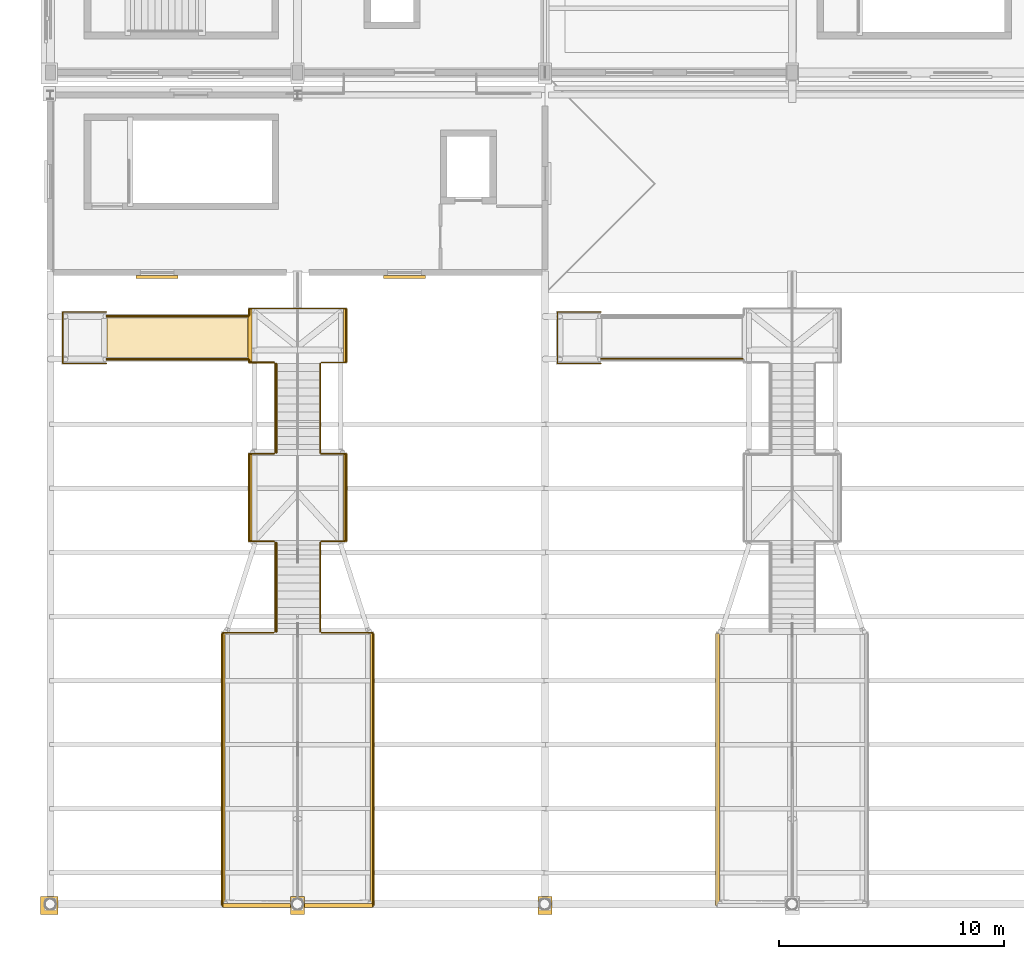
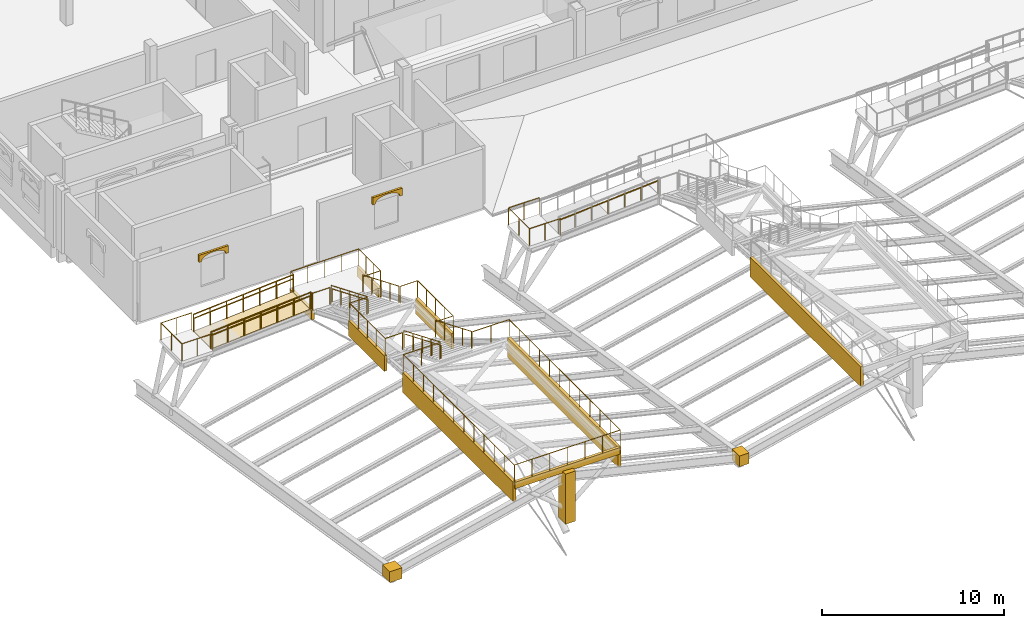
# One storey, part 32 of 43: 18 railings, 14 coverings.
"""IFC4 building model written with IfcOpenShell, lengths in metres."""

from ifc_helpers import new_model, si_unit, direction, frame, frame_2d, origin, origin_2d, place, context, subcontext, project, spatial, polyline, rectangle, circle, outline, extrude, material, layer, layer_set, type_object, element, save


model = new_model("IFC4")

# Units and contexts
model_context = context("Model", 3, precision=1e-05, world=origin(), true_north=direction((0.0, 1.0)))
body_context = subcontext(model_context, "Body", "Model", "MODEL_VIEW")
ifc_project = project(units=[si_unit("LENGTHUNIT", "METRE"), si_unit("AREAUNIT", "SQUARE_METRE"), si_unit("VOLUMEUNIT", "CUBIC_METRE"), si_unit("PLANEANGLEUNIT", "RADIAN"), si_unit("MASSUNIT", "GRAM", prefix="KILO")], contexts=[model_context])

# Site, building, storey
site_placement = place(None, origin())
site = spatial("IfcSite", under=ifc_project, at=site_placement, CompositionType="ELEMENT")
building_placement = place(site_placement, origin())
building = spatial("IfcBuilding", under=site, at=building_placement, Name="Caurita Quay Ferry Terminal", CompositionType="ELEMENT")
storey_placement = place(building_placement, frame((0.0, 0.0, 14.10009765625)))
storey = spatial("IfcBuildingStorey", under=building, at=storey_placement, Name="L03", CompositionType="ELEMENT", Elevation=14.10009765625)

# Coverings
ifc_material_1 = material(Name="Warm-white lime stucco masonry", Category="masonry")
ifc_layer_1 = layer(ifc_material_1, 0.360107421875, Name="Spanish Colonial semicircular lime-stucco portales arcade 360 mm")
ifc_layer_set_1 = layer_set([ifc_layer_1], Name="Warm-white lime stucco masonry")
covering_type_1 = type_object("IfcCoveringType", Name="COV-ARC-CLD", PredefinedType="CLADDING", material=ifc_layer_set_1)
for number, where, z_axis, x_axis, name in (
    (1, (7.679931640625, 46.64990234375, 2.349853515625), (0.0, 0.0, 1.0), (0.0, -1.0, 0.0), "Folded Roof Bay 1 Lookout Stucco Skirt 01"),
    (2, (14.320068359375, 34.550048828125, 2.349853515625), (0.0, 0.0, 1.0), (0.0, 1.0, 0.0), "Folded Roof Bay 1 Lookout Stucco Skirt 02"),
):
    element("IfcCovering", number, at=place(storey_placement, frame(where, z_axis=z_axis, x_axis=x_axis)), inside=storey, type_object=covering_type_1, Name=name, PredefinedType="CLADDING", context=body_context, shape_type="SweptSolid", body=[
        extrude(rectangle(XDim=12.099853515625, YDim=0.179931640625, at=frame_2d((6.0498046875, 0.0))), origin(), (0.0, 0.0, 1.0), 1.330078125),
    ])
covering_1_placement = place(storey_placement, frame((7.679931640625, 34.550048828125, 3.25), z_axis=(0.0, 0.0, 1.0), x_axis=(1.0, 0.0, 0.0)))
element("IfcCovering", 3, at=covering_1_placement, inside=storey, type_object=covering_type_1, Name="Folded Roof Bay 1 Lookout Stucco Skirt 03", PredefinedType="CLADDING", context=body_context, shape_type="SweptSolid", body=[
    extrude(rectangle(XDim=6.64013671875, YDim=0.179931640625, at=frame_2d((3.320068359375, 0.0))), origin(), (0.0, 0.0, 1.0), 0.429931640625),
])
for number, where, z_axis, x_axis, name in (
    (4, (8.8798828125, 54.64990234375, 0.849853515625), (0.0, 0.0, 1.0), (0.0, -1.0, 0.0), "Folded Roof Bay 1 Lookout Stucco Skirt 04"),
    (5, (13.1201171875, 50.72998046875, 0.849853515625), (0.0, 0.0, 1.0), (0.0, 1.0, 0.0), "Folded Roof Bay 1 Lookout Stucco Skirt 05"),
):
    element("IfcCovering", number, at=place(storey_placement, frame(where, z_axis=z_axis, x_axis=x_axis)), inside=storey, type_object=covering_type_1, Name=name, PredefinedType="CLADDING", context=body_context, shape_type="SweptSolid", body=[
        extrude(rectangle(XDim=3.919921875, YDim=0.179931640625, at=frame_2d((1.9599609375, 0.0))), origin(), (0.0, 0.0, 1.0), 1.030029296875),
    ])
for number, where, z_axis, x_axis, name in (
    (6, (8.8798828125, 61.10009765625, -0.550048828125), (0.0, 0.0, 1.0), (0.0, -1.0, 0.0), "Folded Roof Bay 1 Lookout Stucco Skirt 06"),
    (7, (13.1201171875, 58.699951171875, -0.550048828125), (0.0, 0.0, 1.0), (0.0, 1.0, 0.0), "Folded Roof Bay 1 Lookout Stucco Skirt 07"),
):
    element("IfcCovering", number, at=place(storey_placement, frame(where, z_axis=z_axis, x_axis=x_axis)), inside=storey, type_object=covering_type_1, Name=name, PredefinedType="CLADDING", context=body_context, shape_type="SweptSolid", body=[
        extrude(rectangle(XDim=2.400146484375, YDim=0.179931640625, at=frame_2d((1.2001953125, 0.0))), origin(), (0.0, 0.0, 1.0), 0.6298828125),
    ])
covering_2_placement = place(storey_placement, frame((29.679931640625, 46.64990234375, 2.349853515625), z_axis=(0.0, 0.0, 1.0), x_axis=(0.0, -1.0, 0.0)))
element("IfcCovering", 8, at=covering_2_placement, inside=storey, type_object=covering_type_1, Name="Folded Roof Bay 2 Lookout Stucco Skirt 01", PredefinedType="CLADDING", context=body_context, shape_type="SweptSolid", body=[
    extrude(rectangle(XDim=12.099853515625, YDim=0.179931640625, at=frame_2d((6.0498046875, 0.0))), origin(), (0.0, 0.0, 1.0), 1.330078125),
])
ifc_material_2 = material(Name="Polished marine terrazzo tile", Category="finish")
ifc_layer_2 = layer(ifc_material_2, 0.02490234375, Name="Polished marine terrazzo floor finish 25 mm")
ifc_layer_set_2 = layer_set([ifc_layer_2], Name="Polished marine terrazzo tile")
covering_type_2 = type_object("IfcCoveringType", Name="COV-FLR-025", PredefinedType="FLOORING", material=ifc_layer_set_2)
covering_3_placement = place(storey_placement, frame((2.530029296875, 58.840087890625, -0.35009765625), z_axis=(-0.071920937813, 0.0, 0.997410336173), x_axis=(0.997410336173, 0.0, 0.071920937813)))
element("IfcCovering", 9, at=covering_3_placement, inside=storey, type_object=covering_type_2, Name="Folded Roof Bay 1 Accessible Ramp Terrazzo Deck", PredefinedType="FLOORING", context=body_context, shape_type="SweptSolid", body=[
    extrude(outline(polyline([(0.0, 0.0), (6.256191667633518, 0.0), (6.256191667633518, 1.9199218750000004), (0.0, 1.9199218750000004), (0.0, 0.0)])), origin(), (0.0, 0.0, -1.0), 0.06005859375),
])
ifc_layer_3 = layer(ifc_material_1, 0.179931640625, Name="Classical engaged lime-stucco facade pilaster cladding 180 mm")
ifc_layer_set_3 = layer_set([ifc_layer_3], Name="Warm-white lime stucco masonry")
covering_type_3 = type_object("IfcCoveringType", Name="COV-PIL-CLD", PredefinedType="CLADDING", material=ifc_layer_set_3)
covering_4_placement = place(storey_placement, frame((-0.050048828125, 34.550048828125, 0.0), z_axis=(0.0, 0.0, 1.0), x_axis=(1.0, 0.0, 0.0)))
element("IfcCovering", 10, at=covering_4_placement, inside=storey, type_object=covering_type_3, Name="L03 Classical Engaged Pilaster 0004", PredefinedType="CLADDING", context=body_context, shape_type="SweptSolid", body=[
    extrude(rectangle(XDim=0.7880859375, YDim=0.7880859375, at=origin_2d()), origin(), (0.0, 0.0, 1.0), 0.719970703125),
])
covering_5_placement = place(storey_placement, frame((11.0, 34.550048828125, 0.0), z_axis=(0.0, 0.0, 1.0), x_axis=(1.0, 0.0, 0.0)))
element("IfcCovering", 11, at=covering_5_placement, inside=storey, type_object=covering_type_3, Name="L03 Classical Engaged Pilaster 0021", PredefinedType="CLADDING", context=body_context, shape_type="SweptSolid", body=[
    extrude(rectangle(XDim=0.6279296875, YDim=0.7880859375, at=origin_2d()), origin(), (0.0, 0.0, 1.0), 3.360107421875),
])
covering_6_placement = place(storey_placement, frame((22.0, 34.550048828125, 0.0), z_axis=(0.0, 0.0, 1.0), x_axis=(1.0, 0.0, 0.0)))
element("IfcCovering", 12, at=covering_6_placement, inside=storey, type_object=covering_type_3, Name="L03 Classical Engaged Pilaster 0029", PredefinedType="CLADDING", context=body_context, shape_type="SweptSolid", body=[
    extrude(rectangle(XDim=0.6279296875, YDim=0.7880859375, at=origin_2d()), origin(), (0.0, 0.0, 1.0), 0.719970703125),
])
ifc_material_3 = material(Name="Coral stone ashlar cladding", Category="masonry")
ifc_layer_4 = layer(ifc_material_3, 0.139892578125, Name="Spanish Colonial semicircular arched window surround 140 mm")
ifc_layer_set_4 = layer_set([ifc_layer_4], Name="Coral stone ashlar cladding")
covering_type_4 = type_object("IfcCoveringType", Name="COV-WHD-MLD", PredefinedType="MOLDING", material=ifc_layer_set_4)
for number, where, z_axis, x_axis, name in (
    (13, (3.820068359375, 62.5, 2.77978515625), (0.0, 0.0, 1.0), (1.0, 0.0, 0.0), "L03 Arched Window Surround 180"),
    (14, (14.820068359375, 62.5, 2.77978515625), (0.0, 0.0, 1.0), (1.0, 0.0, 0.0), "L03 Arched Window Surround 181"),
):
    element("IfcCovering", number, at=place(storey_placement, frame(where, z_axis=z_axis, x_axis=x_axis)), inside=storey, type_object=covering_type_4, Name=name, PredefinedType="MOLDING", context=body_context, shape_type="SweptSolid", body=[
        extrude(outline(polyline([(0.0, 0.0), (0.159912109375, 0.0), (0.159912109375, 0.0400390625), (0.19775390625, 0.1513671875), (0.30712890625, 0.251708984375), (0.477294921875, 0.331298828125), (0.69189453125, 0.38232421875), (0.929931640625, 0.39990234375), (1.16796875, 0.38232421875), (1.382568359375, 0.331298828125), (1.552734375, 0.251708984375), (1.662109375, 0.1513671875), (1.699951171875, 0.0400390625), (1.699951171875, 0.0), (1.85986328125, 0.0), (1.85986328125, 0.480224609375), (0.0, 0.480224609375), (0.0, 0.0)])), frame((0.0, 0.06982421875, 0.0), z_axis=(0.0, -1.0, 0.0), x_axis=(1.0, 0.0, 0.0)), (0.0, 0.0, 1.0), 0.139892578125),
    ])

# Railings
ifc_material_4 = material(Name="Bronze architectural metalwork", Category="metal")
railing_type_1 = type_object("IfcRailingType", Name="RL-HND-090", PredefinedType="HANDRAIL", material=ifc_material_4)
railing_1_placement = place(storey_placement, frame((10.06005859375, 58.64990234375, 0.25)))
element("IfcRailing", 15, at=railing_1_placement, inside=storey, type_object=railing_type_1, Name="Waterside Peak Lookout 1 Handrail 1", PredefinedType="HANDRAIL", context=body_context, shape_type="SweptSolid", body=[
    extrude(circle(Radius=0.02392578125, at=origin_2d()), frame((0.0, 0.0, 0.8759765625), z_axis=(0.0, -0.923083657872, 0.384599220709), x_axis=(1.0, 0.0, 0.0)), (0.0, 0.0, 1.0), 4.2900390625),
    extrude(circle(Radius=0.02099609375, at=origin_2d()), origin(), (0.0, 0.0, 1.0), 0.851806640625),
    extrude(circle(Radius=0.02099609375, at=origin_2d()), frame((0.0, -0.989990234375, 0.41259765625)), (0.0, 0.0, 1.0), 0.851806640625),
    extrude(circle(Radius=0.02099609375, at=origin_2d()), frame((0.0, -1.97998046875, 0.824951171875)), (0.0, 0.0, 1.0), 0.851806640625),
    extrude(circle(Radius=0.02099609375, at=origin_2d()), frame((0.0, -2.969970703125, 1.2373046875)), (0.0, 0.0, 1.0), 0.851806640625),
    extrude(circle(Radius=0.02099609375, at=origin_2d()), frame((0.0, -3.9599609375, 1.64990234375)), (0.0, 0.0, 1.0), 0.851806640625),
])
railing_2_placement = place(storey_placement, frame((10.06005859375, 50.68994140625, 2.0498046875)))
element("IfcRailing", 16, at=railing_2_placement, inside=storey, type_object=railing_type_1, Name="Waterside Peak Lookout 1 Handrail 2", PredefinedType="HANDRAIL", context=body_context, shape_type="SweptSolid", body=[
    extrude(circle(Radius=0.02392578125, at=origin_2d()), frame((0.0, 0.0, 0.8759765625), z_axis=(0.0, -0.923063452933, 0.384647711367), x_axis=(1.0, 0.0, 0.0)), (0.0, 0.0, 1.0), 4.2900390625),
    extrude(circle(Radius=0.02099609375, at=origin_2d()), origin(), (0.0, 0.0, 1.0), 0.851806640625),
    extrude(circle(Radius=0.02099609375, at=origin_2d()), frame((0.0, -0.989990234375, 0.41259765625)), (0.0, 0.0, 1.0), 0.851806640625),
    extrude(circle(Radius=0.02099609375, at=origin_2d()), frame((0.0, -1.97998046875, 0.8251953125)), (0.0, 0.0, 1.0), 0.851806640625),
    extrude(circle(Radius=0.02099609375, at=origin_2d()), frame((0.0, -2.969970703125, 1.237548828125)), (0.0, 0.0, 1.0), 0.851806640625),
    extrude(circle(Radius=0.02099609375, at=origin_2d()), frame((0.0, -3.9599609375, 1.650146484375)), (0.0, 0.0, 1.0), 0.851806640625),
])
for number, where, name in (
    (17, (2.5, 58.860107421875, -0.35009765625), "Folded Roof Bay 1 Accessible Lookout Ramp Handrail 1"),
    (18, (2.5, 60.739990234375, -0.35009765625), "Folded Roof Bay 1 Accessible Lookout Ramp Handrail 2"),
    (19, (24.5, 58.860107421875, -0.35009765625), "Folded Roof Bay 2 Accessible Lookout Ramp Handrail 1"),
):
    element("IfcRailing", number, at=place(storey_placement, frame(where)), inside=storey, type_object=railing_type_1, Name=name, PredefinedType="HANDRAIL", context=body_context, shape_type="SweptSolid", body=[
        extrude(circle(Radius=0.02392578125, at=origin_2d()), frame((0.0, 0.0, 0.8759765625), z_axis=(0.997459288432, 0.0, 0.07123880909), x_axis=(0.0, 1.0, 0.0)), (0.0, 0.0, 1.0), 6.316162109375),
        extrude(circle(Radius=0.02099609375, at=origin_2d()), origin(), (0.0, 0.0, 1.0), 0.851806640625),
        extrude(circle(Radius=0.02099609375, at=origin_2d()), frame((1.050048828125, 0.0, 0.074951171875)), (0.0, 0.0, 1.0), 0.851806640625),
        extrude(circle(Radius=0.02099609375, at=origin_2d()), frame((2.10009765625, 0.0, 0.14990234375)), (0.0, 0.0, 1.0), 0.851806640625),
        extrude(circle(Radius=0.02099609375, at=origin_2d()), frame((3.14990234375, 0.0, 0.22509765625)), (0.0, 0.0, 1.0), 0.851806640625),
        extrude(circle(Radius=0.02099609375, at=origin_2d()), frame((4.199951171875, 0.0, 0.300048828125)), (0.0, 0.0, 1.0), 0.851806640625),
        extrude(circle(Radius=0.02099609375, at=origin_2d()), frame((5.25, 0.0, 0.375)), (0.0, 0.0, 1.0), 0.851806640625),
        extrude(circle(Radius=0.02099609375, at=origin_2d()), frame((6.300048828125, 0.0, 0.449951171875)), (0.0, 0.0, 1.0), 0.851806640625),
    ])
railing_type_2 = type_object("IfcRailingType", Name="RL-REJA-115", PredefinedType="BALUSTRADE", material=ifc_material_4)
railing_3_placement = place(storey_placement, frame((9.949951171875, 58.699951171875, 0.099853515625)))
element("IfcRailing", 20, at=railing_3_placement, inside=storey, type_object=railing_type_2, Name="Waterside Peak Lookout 1 Guardrail 1", PredefinedType="BALUSTRADE", context=body_context, shape_type="SweptSolid", body=[
    extrude(circle(Radius=0.02392578125, at=origin_2d()), frame((0.0, 0.0, 1.1259765625), z_axis=(-1.0, 0.0, 0.0), x_axis=(0.0, -1.0, 0.0)), (0.0, 0.0, 1.0), 1.099853515625),
    extrude(circle(Radius=0.02392578125, at=origin_2d()), frame((-1.099853515625, 0.0, 1.1259765625), z_axis=(0.0, 1.0, 0.0), x_axis=(-1.0, 0.0, 0.0)), (0.0, 0.0, 1.0), 0.10009765625),
    extrude(circle(Radius=0.02099609375, at=origin_2d()), origin(), (0.0, 0.0, 1.0), 1.101806640625),
    extrude(circle(Radius=0.02099609375, at=origin_2d()), frame((-1.099853515625, 0.0, 0.0)), (0.0, 0.0, 1.0), 1.101806640625),
    extrude(circle(Radius=0.02099609375, at=origin_2d()), frame((-1.099853515625, 0.10009765625, 0.0)), (0.0, 0.0, 1.0), 1.101806640625),
])
railing_4_placement = place(storey_placement, frame((8.85009765625, 60.800048828125, 0.099853515625)))
element("IfcRailing", 21, at=railing_4_placement, inside=storey, type_object=railing_type_2, Name="Waterside Peak Lookout 1 Guardrail 2", PredefinedType="BALUSTRADE", context=body_context, shape_type="SweptSolid", body=[
    extrude(circle(Radius=0.02392578125, at=origin_2d()), frame((0.0, 0.0, 1.1259765625), z_axis=(0.0, 1.0, 0.0), x_axis=(-1.0, 0.0, 0.0)), (0.0, 0.0, 1.0), 0.300048828125),
    extrude(circle(Radius=0.02392578125, at=origin_2d()), frame((0.0, 0.300048828125, 1.1259765625), z_axis=(1.0, 0.0, 0.0), x_axis=(0.0, 1.0, 0.0)), (0.0, 0.0, 1.0), 4.2998046875),
    extrude(circle(Radius=0.02392578125, at=origin_2d()), frame((4.2998046875, 0.300048828125, 1.1259765625), z_axis=(0.0, -1.0, 0.0), x_axis=(1.0, 0.0, 0.0)), (0.0, 0.0, 1.0), 2.400146484375),
    extrude(circle(Radius=0.02392578125, at=origin_2d()), frame((4.2998046875, -2.10009765625, 1.1259765625), z_axis=(-1.0, 0.0, 0.0), x_axis=(0.0, -1.0, 0.0)), (0.0, 0.0, 1.0), 1.099853515625),
    extrude(circle(Radius=0.02099609375, at=origin_2d()), origin(), (0.0, 0.0, 1.0), 1.101806640625),
    extrude(circle(Radius=0.02099609375, at=origin_2d()), frame((0.0, 0.300048828125, 0.0)), (0.0, 0.0, 1.0), 1.101806640625),
    extrude(circle(Radius=0.02099609375, at=origin_2d()), frame((1.074951171875, 0.300048828125, 0.0)), (0.0, 0.0, 1.0), 1.101806640625),
    extrude(circle(Radius=0.02099609375, at=origin_2d()), frame((2.14990234375, 0.300048828125, 0.0)), (0.0, 0.0, 1.0), 1.101806640625),
    extrude(circle(Radius=0.02099609375, at=origin_2d()), frame((3.224853515625, 0.300048828125, 0.0)), (0.0, 0.0, 1.0), 1.101806640625),
    extrude(circle(Radius=0.02099609375, at=origin_2d()), frame((4.2998046875, 0.300048828125, 0.0)), (0.0, 0.0, 1.0), 1.101806640625),
    extrude(circle(Radius=0.02099609375, at=origin_2d()), frame((4.2998046875, -0.5, 0.0)), (0.0, 0.0, 1.0), 1.101806640625),
    extrude(circle(Radius=0.02099609375, at=origin_2d()), frame((4.2998046875, -1.300048828125, 0.0)), (0.0, 0.0, 1.0), 1.101806640625),
    extrude(circle(Radius=0.02099609375, at=origin_2d()), frame((4.2998046875, -2.10009765625, 0.0)), (0.0, 0.0, 1.0), 1.101806640625),
    extrude(circle(Radius=0.02099609375, at=origin_2d()), frame((3.199951171875, -2.10009765625, 0.0)), (0.0, 0.0, 1.0), 1.101806640625),
])
for number, where, name in (
    (22, (10.0, 58.64990234375, 0.25), "Waterside Peak Lookout 1 Guardrail 3"),
    (23, (12.0, 58.64990234375, 0.25), "Waterside Peak Lookout 1 Guardrail 4"),
):
    element("IfcRailing", number, at=place(storey_placement, frame(where)), inside=storey, type_object=railing_type_2, Name=name, PredefinedType="BALUSTRADE", context=body_context, shape_type="SweptSolid", body=[
        extrude(circle(Radius=0.02392578125, at=origin_2d()), frame((0.0, 0.0, 1.1259765625), z_axis=(0.0, -0.923083657872, 0.384599220709), x_axis=(1.0, 0.0, 0.0)), (0.0, 0.0, 1.0), 4.2900390625),
        extrude(circle(Radius=0.02099609375, at=origin_2d()), origin(), (0.0, 0.0, 1.0), 1.101806640625),
        extrude(circle(Radius=0.02099609375, at=origin_2d()), frame((0.0, -0.989990234375, 0.41259765625)), (0.0, 0.0, 1.0), 1.101806640625),
        extrude(circle(Radius=0.02099609375, at=origin_2d()), frame((0.0, -1.97998046875, 0.824951171875)), (0.0, 0.0, 1.0), 1.101806640625),
        extrude(circle(Radius=0.02099609375, at=origin_2d()), frame((0.0, -2.969970703125, 1.2373046875)), (0.0, 0.0, 1.0), 1.101806640625),
        extrude(circle(Radius=0.02099609375, at=origin_2d()), frame((0.0, -3.9599609375, 1.64990234375)), (0.0, 0.0, 1.0), 1.101806640625),
    ])
railing_5_placement = place(storey_placement, frame((9.949951171875, 54.639892578125, 1.89990234375)))
element("IfcRailing", 24, at=railing_5_placement, inside=storey, type_object=railing_type_2, Name="Waterside Peak Lookout 1 Guardrail 5", PredefinedType="BALUSTRADE", context=body_context, shape_type="SweptSolid", body=[
    extrude(circle(Radius=0.02392578125, at=origin_2d()), frame((0.0, 0.0, 1.1259765625), z_axis=(-1.0, 0.0, 0.0), x_axis=(0.0, -1.0, 0.0)), (0.0, 0.0, 1.0), 1.099853515625),
    extrude(circle(Radius=0.02392578125, at=origin_2d()), frame((-1.099853515625, 0.0, 1.1259765625), z_axis=(0.0, -1.0, 0.0), x_axis=(1.0, 0.0, 0.0)), (0.0, 0.0, 1.0), 3.89990234375),
    extrude(circle(Radius=0.02392578125, at=origin_2d()), frame((-1.099853515625, -3.89990234375, 1.1259765625), z_axis=(1.0, 0.0, 0.0), x_axis=(0.0, 1.0, 0.0)), (0.0, 0.0, 1.0), 1.099853515625),
    extrude(circle(Radius=0.02099609375, at=origin_2d()), origin(), (0.0, 0.0, 1.0), 1.101806640625),
    extrude(circle(Radius=0.02099609375, at=origin_2d()), frame((-1.099853515625, 0.0, 0.0)), (0.0, 0.0, 1.0), 1.101806640625),
    extrude(circle(Radius=0.02099609375, at=origin_2d()), frame((-1.099853515625, -0.97509765625, 0.0)), (0.0, 0.0, 1.0), 1.101806640625),
    extrude(circle(Radius=0.02099609375, at=origin_2d()), frame((-1.099853515625, -1.949951171875, 0.0)), (0.0, 0.0, 1.0), 1.101806640625),
    extrude(circle(Radius=0.02099609375, at=origin_2d()), frame((-1.099853515625, -2.9248046875, 0.0)), (0.0, 0.0, 1.0), 1.101806640625),
    extrude(circle(Radius=0.02099609375, at=origin_2d()), frame((-1.099853515625, -3.89990234375, 0.0)), (0.0, 0.0, 1.0), 1.101806640625),
    extrude(circle(Radius=0.02099609375, at=origin_2d()), frame((0.0, -3.89990234375, 0.0)), (0.0, 0.0, 1.0), 1.101806640625),
])
railing_6_placement = place(storey_placement, frame((12.050048828125, 54.639892578125, 1.89990234375)))
element("IfcRailing", 25, at=railing_6_placement, inside=storey, type_object=railing_type_2, Name="Waterside Peak Lookout 1 Guardrail 6", PredefinedType="BALUSTRADE", context=body_context, shape_type="SweptSolid", body=[
    extrude(circle(Radius=0.02392578125, at=origin_2d()), frame((0.0, 0.0, 1.1259765625), z_axis=(1.0, 0.0, 0.0), x_axis=(0.0, 1.0, 0.0)), (0.0, 0.0, 1.0), 1.099853515625),
    extrude(circle(Radius=0.02392578125, at=origin_2d()), frame((1.099853515625, 0.0, 1.1259765625), z_axis=(0.0, -1.0, 0.0), x_axis=(1.0, 0.0, 0.0)), (0.0, 0.0, 1.0), 3.89990234375),
    extrude(circle(Radius=0.02392578125, at=origin_2d()), frame((1.099853515625, -3.89990234375, 1.1259765625), z_axis=(-1.0, 0.0, 0.0), x_axis=(0.0, -1.0, 0.0)), (0.0, 0.0, 1.0), 1.099853515625),
    extrude(circle(Radius=0.02099609375, at=origin_2d()), origin(), (0.0, 0.0, 1.0), 1.101806640625),
    extrude(circle(Radius=0.02099609375, at=origin_2d()), frame((1.099853515625, 0.0, 0.0)), (0.0, 0.0, 1.0), 1.101806640625),
    extrude(circle(Radius=0.02099609375, at=origin_2d()), frame((1.099853515625, -0.97509765625, 0.0)), (0.0, 0.0, 1.0), 1.101806640625),
    extrude(circle(Radius=0.02099609375, at=origin_2d()), frame((1.099853515625, -1.949951171875, 0.0)), (0.0, 0.0, 1.0), 1.101806640625),
    extrude(circle(Radius=0.02099609375, at=origin_2d()), frame((1.099853515625, -2.9248046875, 0.0)), (0.0, 0.0, 1.0), 1.101806640625),
    extrude(circle(Radius=0.02099609375, at=origin_2d()), frame((1.099853515625, -3.89990234375, 0.0)), (0.0, 0.0, 1.0), 1.101806640625),
    extrude(circle(Radius=0.02099609375, at=origin_2d()), frame((0.0, -3.89990234375, 0.0)), (0.0, 0.0, 1.0), 1.101806640625),
])
for number, where, name in (
    (26, (10.0, 50.68994140625, 2.0498046875), "Waterside Peak Lookout 1 Guardrail 7"),
    (27, (12.0, 50.68994140625, 2.0498046875), "Waterside Peak Lookout 1 Guardrail 8"),
):
    element("IfcRailing", number, at=place(storey_placement, frame(where)), inside=storey, type_object=railing_type_2, Name=name, PredefinedType="BALUSTRADE", context=body_context, shape_type="SweptSolid", body=[
        extrude(circle(Radius=0.02392578125, at=origin_2d()), frame((0.0, 0.0, 1.1259765625), z_axis=(0.0, -0.923063452933, 0.384647711367), x_axis=(1.0, 0.0, 0.0)), (0.0, 0.0, 1.0), 4.2900390625),
        extrude(circle(Radius=0.02099609375, at=origin_2d()), origin(), (0.0, 0.0, 1.0), 1.101806640625),
        extrude(circle(Radius=0.02099609375, at=origin_2d()), frame((0.0, -0.989990234375, 0.41259765625)), (0.0, 0.0, 1.0), 1.101806640625),
        extrude(circle(Radius=0.02099609375, at=origin_2d()), frame((0.0, -1.97998046875, 0.8251953125)), (0.0, 0.0, 1.0), 1.101806640625),
        extrude(circle(Radius=0.02099609375, at=origin_2d()), frame((0.0, -2.969970703125, 1.237548828125)), (0.0, 0.0, 1.0), 1.101806640625),
        extrude(circle(Radius=0.02099609375, at=origin_2d()), frame((0.0, -3.9599609375, 1.650146484375)), (0.0, 0.0, 1.0), 1.101806640625),
    ])
railing_7_placement = place(storey_placement, frame((9.949951171875, 46.679931640625, 3.699951171875)))
element("IfcRailing", 28, at=railing_7_placement, inside=storey, type_object=railing_type_2, Name="Waterside Peak Lookout 1 Guardrail 9", PredefinedType="BALUSTRADE", context=body_context, shape_type="SweptSolid", body=[
    extrude(circle(Radius=0.02392578125, at=origin_2d()), frame((0.0, 0.0, 1.1259765625), z_axis=(-1.0, 0.0, 0.0), x_axis=(0.0, -1.0, 0.0)), (0.0, 0.0, 1.0), 2.300048828125),
    extrude(circle(Radius=0.02392578125, at=origin_2d()), frame((-2.300048828125, 0.0, 1.1259765625), z_axis=(0.0, -1.0, 0.0), x_axis=(1.0, 0.0, 0.0)), (0.0, 0.0, 1.0), 12.179931640625),
    extrude(circle(Radius=0.02392578125, at=origin_2d()), frame((-2.300048828125, -12.179931640625, 1.1259765625), z_axis=(1.0, 0.0, 0.0), x_axis=(0.0, 1.0, 0.0)), (0.0, 0.0, 1.0), 6.7001953125),
    extrude(circle(Radius=0.02392578125, at=origin_2d()), frame((4.400146484375, -12.179931640625, 1.1259765625), z_axis=(0.0, 1.0, 0.0), x_axis=(-1.0, 0.0, 0.0)), (0.0, 0.0, 1.0), 12.179931640625),
    extrude(circle(Radius=0.02392578125, at=origin_2d()), frame((4.400146484375, 0.0, 1.1259765625), z_axis=(-1.0, 0.0, 0.0), x_axis=(0.0, -1.0, 0.0)), (0.0, 0.0, 1.0), 2.300048828125),
    extrude(circle(Radius=0.02099609375, at=origin_2d()), origin(), (0.0, 0.0, 1.0), 1.101806640625),
    extrude(circle(Radius=0.02099609375, at=origin_2d()), frame((-1.14990234375, 0.0, 0.0)), (0.0, 0.0, 1.0), 1.101806640625),
    extrude(circle(Radius=0.02099609375, at=origin_2d()), frame((-2.300048828125, 0.0, 0.0)), (0.0, 0.0, 1.0), 1.101806640625),
    extrude(circle(Radius=0.02099609375, at=origin_2d()), frame((-2.300048828125, -1.107177734375, 0.0)), (0.0, 0.0, 1.0), 1.101806640625),
    extrude(circle(Radius=0.02099609375, at=origin_2d()), frame((-2.300048828125, -2.214599609375, 0.0)), (0.0, 0.0, 1.0), 1.101806640625),
    extrude(circle(Radius=0.02099609375, at=origin_2d()), frame((-2.300048828125, -3.32177734375, 0.0)), (0.0, 0.0, 1.0), 1.101806640625),
    extrude(circle(Radius=0.02099609375, at=origin_2d()), frame((-2.300048828125, -4.428955078125, 0.0)), (0.0, 0.0, 1.0), 1.101806640625),
    extrude(circle(Radius=0.02099609375, at=origin_2d()), frame((-2.300048828125, -5.536376953125, 0.0)), (0.0, 0.0, 1.0), 1.101806640625),
    extrude(circle(Radius=0.02099609375, at=origin_2d()), frame((-2.300048828125, -6.6435546875, 0.0)), (0.0, 0.0, 1.0), 1.101806640625),
    extrude(circle(Radius=0.02099609375, at=origin_2d()), frame((-2.300048828125, -7.7509765625, 0.0)), (0.0, 0.0, 1.0), 1.101806640625),
    extrude(circle(Radius=0.02099609375, at=origin_2d()), frame((-2.300048828125, -8.858154296875, 0.0)), (0.0, 0.0, 1.0), 1.101806640625),
    extrude(circle(Radius=0.02099609375, at=origin_2d()), frame((-2.300048828125, -9.96533203125, 0.0)), (0.0, 0.0, 1.0), 1.101806640625),
    extrude(circle(Radius=0.02099609375, at=origin_2d()), frame((-2.300048828125, -11.07275390625, 0.0)), (0.0, 0.0, 1.0), 1.101806640625),
    extrude(circle(Radius=0.02099609375, at=origin_2d()), frame((-2.300048828125, -12.179931640625, 0.0)), (0.0, 0.0, 1.0), 1.101806640625),
    extrude(circle(Radius=0.02099609375, at=origin_2d()), frame((-1.183349609375, -12.179931640625, 0.0)), (0.0, 0.0, 1.0), 1.101806640625),
    extrude(circle(Radius=0.02099609375, at=origin_2d()), frame((-0.066650390625, -12.179931640625, 0.0)), (0.0, 0.0, 1.0), 1.101806640625),
    extrude(circle(Radius=0.02099609375, at=origin_2d()), frame((1.050048828125, -12.179931640625, 0.0)), (0.0, 0.0, 1.0), 1.101806640625),
    extrude(circle(Radius=0.02099609375, at=origin_2d()), frame((2.166748046875, -12.179931640625, 0.0)), (0.0, 0.0, 1.0), 1.101806640625),
    extrude(circle(Radius=0.02099609375, at=origin_2d()), frame((3.283447265625, -12.179931640625, 0.0)), (0.0, 0.0, 1.0), 1.101806640625),
    extrude(circle(Radius=0.02099609375, at=origin_2d()), frame((4.400146484375, -12.179931640625, 0.0)), (0.0, 0.0, 1.0), 1.101806640625),
    extrude(circle(Radius=0.02099609375, at=origin_2d()), frame((4.400146484375, -11.07275390625, 0.0)), (0.0, 0.0, 1.0), 1.101806640625),
    extrude(circle(Radius=0.02099609375, at=origin_2d()), frame((4.400146484375, -9.96533203125, 0.0)), (0.0, 0.0, 1.0), 1.101806640625),
    extrude(circle(Radius=0.02099609375, at=origin_2d()), frame((4.400146484375, -8.858154296875, 0.0)), (0.0, 0.0, 1.0), 1.101806640625),
    extrude(circle(Radius=0.02099609375, at=origin_2d()), frame((4.400146484375, -7.7509765625, 0.0)), (0.0, 0.0, 1.0), 1.101806640625),
    extrude(circle(Radius=0.02099609375, at=origin_2d()), frame((4.400146484375, -6.6435546875, 0.0)), (0.0, 0.0, 1.0), 1.101806640625),
    extrude(circle(Radius=0.02099609375, at=origin_2d()), frame((4.400146484375, -5.536376953125, 0.0)), (0.0, 0.0, 1.0), 1.101806640625),
    extrude(circle(Radius=0.02099609375, at=origin_2d()), frame((4.400146484375, -4.428955078125, 0.0)), (0.0, 0.0, 1.0), 1.101806640625),
    extrude(circle(Radius=0.02099609375, at=origin_2d()), frame((4.400146484375, -3.32177734375, 0.0)), (0.0, 0.0, 1.0), 1.101806640625),
    extrude(circle(Radius=0.02099609375, at=origin_2d()), frame((4.400146484375, -2.214599609375, 0.0)), (0.0, 0.0, 1.0), 1.101806640625),
    extrude(circle(Radius=0.02099609375, at=origin_2d()), frame((4.400146484375, -1.107177734375, 0.0)), (0.0, 0.0, 1.0), 1.101806640625),
    extrude(circle(Radius=0.02099609375, at=origin_2d()), frame((4.400146484375, 0.0, 0.0)), (0.0, 0.0, 1.0), 1.101806640625),
    extrude(circle(Radius=0.02099609375, at=origin_2d()), frame((3.25, 0.0, 0.0)), (0.0, 0.0, 1.0), 1.101806640625),
    extrude(circle(Radius=0.02099609375, at=origin_2d()), frame((2.10009765625, 0.0, 0.0)), (0.0, 0.0, 1.0), 1.101806640625),
])
railing_8_placement = place(storey_placement, frame((2.5, 58.64990234375, -0.35009765625)))
element("IfcRailing", 29, at=railing_8_placement, inside=storey, type_object=railing_type_2, Name="Folded Roof Bay 1 Accessible Lookout Ramp Landing Guardrail", PredefinedType="BALUSTRADE", context=body_context, shape_type="SweptSolid", body=[
    extrude(circle(Radius=0.02392578125, at=origin_2d()), frame((0.0, 0.0, 1.1259765625), z_axis=(-1.0, 0.0, 0.0), x_axis=(0.0, -1.0, 0.0)), (0.0, 0.0, 1.0), 1.949951171875),
    extrude(circle(Radius=0.02392578125, at=origin_2d()), frame((-1.949951171875, 0.0, 1.1259765625), z_axis=(0.0, 1.0, 0.0), x_axis=(-1.0, 0.0, 0.0)), (0.0, 0.0, 1.0), 2.300048828125),
    extrude(circle(Radius=0.02392578125, at=origin_2d()), frame((-1.949951171875, 2.300048828125, 1.1259765625), z_axis=(1.0, 0.0, 0.0), x_axis=(0.0, 1.0, 0.0)), (0.0, 0.0, 1.0), 1.949951171875),
    extrude(circle(Radius=0.02099609375, at=origin_2d()), origin(), (0.0, 0.0, 1.0), 1.101806640625),
    extrude(circle(Radius=0.02099609375, at=origin_2d()), frame((-0.97509765625, 0.0, 0.0)), (0.0, 0.0, 1.0), 1.101806640625),
    extrude(circle(Radius=0.02099609375, at=origin_2d()), frame((-1.949951171875, 0.0, 0.0)), (0.0, 0.0, 1.0), 1.101806640625),
    extrude(circle(Radius=0.02099609375, at=origin_2d()), frame((-1.949951171875, 1.14990234375, 0.0)), (0.0, 0.0, 1.0), 1.101806640625),
    extrude(circle(Radius=0.02099609375, at=origin_2d()), frame((-1.949951171875, 2.300048828125, 0.0)), (0.0, 0.0, 1.0), 1.101806640625),
    extrude(circle(Radius=0.02099609375, at=origin_2d()), frame((-0.97509765625, 2.300048828125, 0.0)), (0.0, 0.0, 1.0), 1.101806640625),
    extrude(circle(Radius=0.02099609375, at=origin_2d()), frame((0.0, 2.300048828125, 0.0)), (0.0, 0.0, 1.0), 1.101806640625),
])
for number, where, name in (
    (30, (2.5, 58.830078125, -0.35009765625), "Folded Roof Bay 1 Accessible Lookout Ramp Guardrail 1"),
    (31, (2.5, 60.77001953125, -0.35009765625), "Folded Roof Bay 1 Accessible Lookout Ramp Guardrail 2"),
):
    element("IfcRailing", number, at=place(storey_placement, frame(where)), inside=storey, type_object=railing_type_2, Name=name, PredefinedType="BALUSTRADE", context=body_context, shape_type="SweptSolid", body=[
        extrude(circle(Radius=0.02392578125, at=origin_2d()), frame((0.0, 0.0, 1.1259765625), z_axis=(0.997459288432, 0.0, 0.07123880909), x_axis=(0.0, 1.0, 0.0)), (0.0, 0.0, 1.0), 6.316162109375),
        extrude(circle(Radius=0.02099609375, at=origin_2d()), origin(), (0.0, 0.0, 1.0), 1.101806640625),
        extrude(circle(Radius=0.02099609375, at=origin_2d()), frame((1.050048828125, 0.0, 0.074951171875)), (0.0, 0.0, 1.0), 1.101806640625),
        extrude(circle(Radius=0.02099609375, at=origin_2d()), frame((2.10009765625, 0.0, 0.14990234375)), (0.0, 0.0, 1.0), 1.101806640625),
        extrude(circle(Radius=0.02099609375, at=origin_2d()), frame((3.14990234375, 0.0, 0.22509765625)), (0.0, 0.0, 1.0), 1.101806640625),
        extrude(circle(Radius=0.02099609375, at=origin_2d()), frame((4.199951171875, 0.0, 0.300048828125)), (0.0, 0.0, 1.0), 1.101806640625),
        extrude(circle(Radius=0.02099609375, at=origin_2d()), frame((5.25, 0.0, 0.375)), (0.0, 0.0, 1.0), 1.101806640625),
        extrude(circle(Radius=0.02099609375, at=origin_2d()), frame((6.300048828125, 0.0, 0.449951171875)), (0.0, 0.0, 1.0), 1.101806640625),
    ])
railing_9_placement = place(storey_placement, frame((24.5, 58.64990234375, -0.35009765625)))
element("IfcRailing", 32, at=railing_9_placement, inside=storey, type_object=railing_type_2, Name="Folded Roof Bay 2 Accessible Lookout Ramp Landing Guardrail", PredefinedType="BALUSTRADE", context=body_context, shape_type="SweptSolid", body=[
    extrude(circle(Radius=0.02392578125, at=origin_2d()), frame((0.0, 0.0, 1.1259765625), z_axis=(-1.0, 0.0, 0.0), x_axis=(0.0, -1.0, 0.0)), (0.0, 0.0, 1.0), 1.949951171875),
    extrude(circle(Radius=0.02392578125, at=origin_2d()), frame((-1.949951171875, 0.0, 1.1259765625), z_axis=(0.0, 1.0, 0.0), x_axis=(-1.0, 0.0, 0.0)), (0.0, 0.0, 1.0), 2.300048828125),
    extrude(circle(Radius=0.02392578125, at=origin_2d()), frame((-1.949951171875, 2.300048828125, 1.1259765625), z_axis=(1.0, 0.0, 0.0), x_axis=(0.0, 1.0, 0.0)), (0.0, 0.0, 1.0), 1.949951171875),
    extrude(circle(Radius=0.02099609375, at=origin_2d()), origin(), (0.0, 0.0, 1.0), 1.101806640625),
    extrude(circle(Radius=0.02099609375, at=origin_2d()), frame((-0.97509765625, 0.0, 0.0)), (0.0, 0.0, 1.0), 1.101806640625),
    extrude(circle(Radius=0.02099609375, at=origin_2d()), frame((-1.949951171875, 0.0, 0.0)), (0.0, 0.0, 1.0), 1.101806640625),
    extrude(circle(Radius=0.02099609375, at=origin_2d()), frame((-1.949951171875, 1.14990234375, 0.0)), (0.0, 0.0, 1.0), 1.101806640625),
    extrude(circle(Radius=0.02099609375, at=origin_2d()), frame((-1.949951171875, 2.300048828125, 0.0)), (0.0, 0.0, 1.0), 1.101806640625),
    extrude(circle(Radius=0.02099609375, at=origin_2d()), frame((-0.97509765625, 2.300048828125, 0.0)), (0.0, 0.0, 1.0), 1.101806640625),
    extrude(circle(Radius=0.02099609375, at=origin_2d()), frame((0.0, 2.300048828125, 0.0)), (0.0, 0.0, 1.0), 1.101806640625),
])

save(model, "model.ifc")
